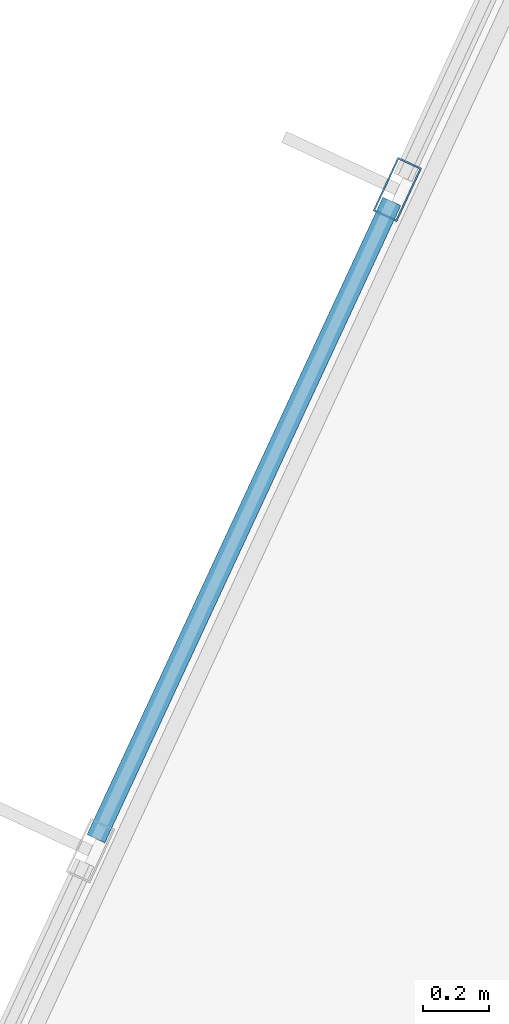
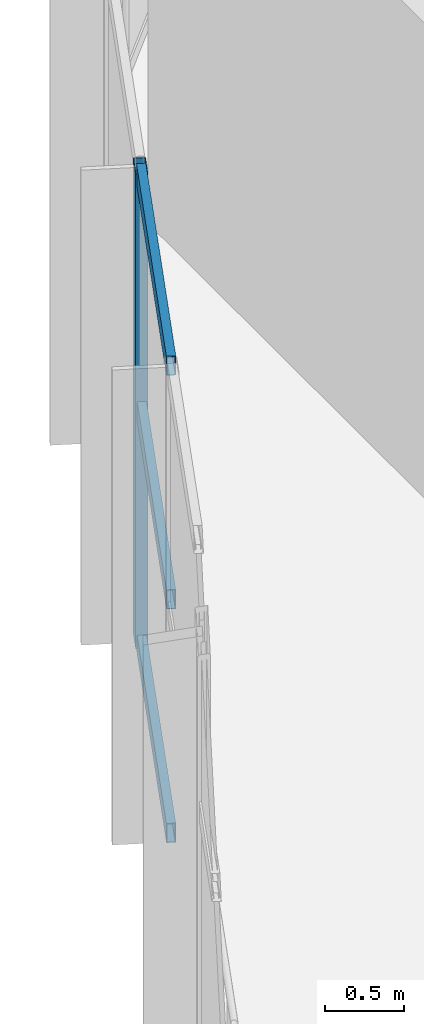
# One storey, part 26 of 175: 4 members, 1 element without a shape of its own.
"""IFC4 building model written with IfcOpenShell, lengths in metres."""

import ifcopenshell
import ifcopenshell.guid

model = None  # the IFC model being written
_history = None  # IfcOwnerHistory: only IFC2X3 demands one
_inside = {}  # id of a spatial element -> (the spatial element, [elements in it])
_under = {}  # id of a project, library or spatial element -> (it, [spatial elements below it])
_declared = {}  # id of a project -> (the project, [libraries it declares])
_typed = {}  # id of a type object -> (the type object, [elements of that type])
_made_of = {}  # id of a material, layer set ... -> (it, [elements and type objects made of it])


def new_model(schema):
    """Start an empty IFC model of exactly this schema.

    Asked for "IFC4X3", IfcOpenShell would pick the latest addendum, in which some entities
    have other attributes; the version numbers below select the first issue.
    IFC2X3 requires an IfcOwnerHistory on every rooted entity: one is made here for all.
    """
    global model, _history
    if schema == "IFC4X3":
        model = ifcopenshell.file(schema_version=(4, 3, 0, 0))
    else:
        model = ifcopenshell.file(schema=schema)
    _inside.clear()
    _under.clear()
    _declared.clear()
    _typed.clear()
    _made_of.clear()
    _history = None
    if model.schema == "IFC2X3":
        org = make("IfcOrganization", Name="unknown")
        user = make(
            "IfcPersonAndOrganization",
            ThePerson=make("IfcPerson", FamilyName="unknown"),
            TheOrganization=org,
        )
        app = make(
            "IfcApplication",
            ApplicationDeveloper=org,
            Version="unknown",
            ApplicationFullName="unknown",
            ApplicationIdentifier="unknown",
        )
        _history = make(
            "IfcOwnerHistory",
            OwningUser=user,
            OwningApplication=app,
            ChangeAction="ADDED",
            CreationDate=0,
        )
    return model


def make(cls, **values):
    """One entity of the class cls with the attributes given. An attribute that is None is left unset."""
    return model.create_entity(
        cls, **{name: value for name, value in values.items() if value is not None}
    )


def rooted(cls, **values):
    """An entity with a GlobalId (a new one), such as an element, a storey or a relation."""
    return make(cls, GlobalId=ifcopenshell.guid.new(), OwnerHistory=_history, **values)


def si_unit(unit_type, name, prefix=None):
    """IfcSIUnit, for example si_unit("LENGTHUNIT", "METRE", prefix="MILLI")."""
    return make("IfcSIUnit", UnitType=unit_type, Prefix=prefix, Name=name)


def assignment(units):
    """IfcUnitAssignment: the units of a project."""
    return None if units is None else make("IfcUnitAssignment", Units=units)


def point(xyz):
    """IfcCartesianPoint."""
    return None if xyz is None else make("IfcCartesianPoint", Coordinates=xyz)


def direction(xyz):
    """IfcDirection."""
    return None if xyz is None else make("IfcDirection", DirectionRatios=xyz)


def frame(location, z_axis=None, x_axis=None):
    """IfcAxis2Placement3D, a coordinate frame: its origin and axes. An axis left out is left unset."""
    return make(
        "IfcAxis2Placement3D",
        Location=point(location),
        Axis=direction(z_axis),
        RefDirection=direction(x_axis),
    )


def frame_2d(location, x_axis=None):
    """IfcAxis2Placement2D, a coordinate frame in the plane: its origin and x axis."""
    return make(
        "IfcAxis2Placement2D", Location=point(location), RefDirection=direction(x_axis)
    )


def origin():
    """The frame at (0, 0, 0) with its axes left unset."""
    return frame((0.0, 0.0, 0.0))


def origin_2d():
    """The frame at (0, 0) in the plane with its x axis left unset."""
    return frame_2d((0.0, 0.0))


def place(relative_to, where):
    """IfcLocalPlacement: puts the frame where relative to a parent placement (None: the world)."""
    return make(
        "IfcLocalPlacement", PlacementRelTo=relative_to, RelativePlacement=where
    )


def context(
    kind, dimensions, precision=None, world=None, true_north=None, identifier=None
):
    """IfcGeometricRepresentationContext, for example the 3D "Model" context."""
    return make(
        "IfcGeometricRepresentationContext",
        ContextIdentifier=identifier,
        ContextType=kind,
        CoordinateSpaceDimension=dimensions,
        Precision=precision,
        WorldCoordinateSystem=world,
        TrueNorth=true_north,
    )


def subcontext(parent, identifier, kind, view, scale=None):
    """IfcGeometricRepresentationSubContext, for example "Body" below "Model"."""
    return make(
        "IfcGeometricRepresentationSubContext",
        ContextIdentifier=identifier,
        ContextType=kind,
        ParentContext=parent,
        TargetScale=scale,
        TargetView=view,
    )


def project(units=None, contexts=None):
    """IfcProject with its units and contexts."""
    return rooted(
        "IfcProject",
        Name="project",
        RepresentationContexts=contexts,
        UnitsInContext=assignment(units),
    )


def spatial(cls, under=None, at=None, **own):
    """A site, building, storey or space (cls), placed at a placement, below another one or the project."""
    s = rooted(cls, ObjectPlacement=at, **own)
    if under is not None:
        _under.setdefault(under.id(), (under, []))[1].append(s)
    return s


def profile(cls, at=None, kind="AREA", **sizes):
    """A parametric profile (cls). Its sizes go by their IFC names, for example OverallWidth=200.0."""
    return make(cls, ProfileType=kind, Position=at, **sizes)


def hollow_rectangle(**sizes):
    """IfcRectangleHollowProfileDef."""
    return profile("IfcRectangleHollowProfileDef", **sizes)


def extrude(swept, where, along, depth):
    """IfcExtrudedAreaSolid: the profile swept, set in the frame where, extruded along a direction by depth."""
    return make(
        "IfcExtrudedAreaSolid",
        SweptArea=swept,
        Position=where,
        ExtrudedDirection=direction(along),
        Depth=depth,
    )


def shape(context_of_items, identifier, shape_type, items):
    """IfcShapeRepresentation: the items that make up one representation, for example the "Body"."""
    return make(
        "IfcShapeRepresentation",
        ContextOfItems=context_of_items,
        RepresentationIdentifier=identifier,
        RepresentationType=shape_type,
        Items=items,
    )


def material(Name=None, Category=None):
    """IfcMaterial."""
    return make("IfcMaterial", Name=Name, Category=Category)


def layer(
    of_material, thickness, ventilated=None, Name=None, Category=None, Priority=None
):
    """IfcMaterialLayer: one layer of a wall or slab, of a material (None: an air gap)."""
    return make(
        "IfcMaterialLayer",
        Material=of_material,
        LayerThickness=thickness,
        IsVentilated=ventilated,
        Name=Name,
        Category=Category,
        Priority=Priority,
    )


def layer_set(layers, Name=None):
    """IfcMaterialLayerSet."""
    return make("IfcMaterialLayerSet", MaterialLayers=layers, LayerSetName=Name)


def material_profile(
    of_material, cross_section, Name=None, Category=None, Priority=None
):
    """IfcMaterialProfile: a cross section and its material."""
    return make(
        "IfcMaterialProfile",
        Name=Name,
        Material=of_material,
        Profile=cross_section,
        Priority=Priority,
        Category=Category,
    )


def profile_set(profiles, Name=None, composite=None):
    """IfcMaterialProfileSet."""
    return make(
        "IfcMaterialProfileSet",
        Name=Name,
        MaterialProfiles=profiles,
        CompositeProfile=composite,
    )


def made_of(thing, what):
    """Note that an element or type object is made of a material, layer set ...; save() writes the relation."""
    if what is not None:
        _made_of.setdefault(what.id(), (what, []))[1].append(thing)
    return thing


def type_object(cls, material=None, **own):
    """A type object (cls), such as IfcWallType, which elements share."""
    return made_of(rooted(cls, **own), material)


def element(
    cls,
    number,
    at=None,
    inside=None,
    cuts=None,
    type_object=None,
    material=None,
    context=None,
    identifier="Body",
    shape_type=None,
    held_by="IfcProductDefinitionShape",
    body=None,
    shapes=None,
    **own,
):
    """One element of the class cls, such as IfcWall. Its Tag is "e" and its number.

    at: its placement. inside: the storey or other place that contains it. cuts: it is an
    opening in that element (IfcRelVoidsElement). A single representation is given by context,
    identifier, shape_type and body (its items); several are given by shapes. held_by: the class
    of the entity that holds the representations. save() writes the other relations.
    """
    e = rooted(cls, Tag="e%d" % number, ObjectPlacement=at, **own)
    if body is not None:
        shapes = [shape(context, identifier, shape_type, body)]
    if shapes is not None:
        e.Representation = make(held_by, Representations=shapes)
    if inside is not None:
        _inside.setdefault(inside.id(), (inside, []))[1].append(e)
    if cuts is not None:
        rooted(
            "IfcRelVoidsElement", RelatingBuildingElement=cuts, RelatedOpeningElement=e
        )
    if type_object is not None:
        _typed.setdefault(type_object.id(), (type_object, []))[1].append(e)
    return made_of(e, material)


def aggregate(whole, parts):
    """IfcRelAggregates: a whole, such as a stair, and the parts it consists of."""
    return rooted("IfcRelAggregates", RelatingObject=whole, RelatedObjects=parts)


def save(model, path):
    """Write the relations noted so far, then the file.

    IfcRelAggregates (storeys below a building ...), IfcRelContainedInSpatialStructure (elements
    in a storey), IfcRelDefinesByType, IfcRelAssociatesMaterial and IfcRelDeclares: one each for
    every whole, place, type object, material and project.
    """
    for whole, parts in _under.values():
        aggregate(whole, parts)
    for where, things in _inside.values():
        rooted(
            "IfcRelContainedInSpatialStructure",
            RelatedElements=things,
            RelatingStructure=where,
        )
    for kind, things in _typed.values():
        rooted("IfcRelDefinesByType", RelatedObjects=things, RelatingType=kind)
    for what, things in _made_of.values():
        rooted("IfcRelAssociatesMaterial", RelatedObjects=things, RelatingMaterial=what)
    for by, libraries in _declared.values():
        rooted("IfcRelDeclares", RelatingContext=by, RelatedDefinitions=libraries)
    model.write(path)


model = new_model("IFC4")

# Units and contexts
model_context = context("Model", 3, precision=1e-05, world=origin(), true_north=direction((0.0, 1.0)))
body_context = subcontext(model_context, "Body", "Model", "MODEL_VIEW")
ifc_project = project(units=[si_unit("LENGTHUNIT", "METRE"), si_unit("AREAUNIT", "SQUARE_METRE"), si_unit("VOLUMEUNIT", "CUBIC_METRE"), si_unit("PLANEANGLEUNIT", "RADIAN"), si_unit("MASSUNIT", "GRAM", prefix="KILO")], contexts=[model_context])

# Site, building, storey
site_placement = place(None, origin())
site = spatial("IfcSite", under=ifc_project, at=site_placement, CompositionType="ELEMENT")
building_placement = place(site_placement, origin())
building = spatial("IfcBuilding", under=site, at=building_placement, Name="Zizhar Promenade General Hospital", CompositionType="ELEMENT")
storey_placement = place(building_placement, frame((0.0, 0.0, 4.800048828125)))
storey = spatial("IfcBuildingStorey", under=building, at=storey_placement, Name="L01", CompositionType="ELEMENT", Elevation=4.800048828125)

# Curtain wall, members
ifc_material_1 = material(Name="Anodised aluminium 6063-T6 and low-E glass", Category="aluminium")
ifc_layer = layer(ifc_material_1, 0.159912109375)
ifc_layer_set = layer_set([ifc_layer], Name="Anodised aluminium 6063-T6 and low-E glass")
curtain_wall_type = type_object("IfcCurtainWallType", Name="CW-DT-MOD2", PredefinedType="NOTDEFINED", material=ifc_layer_set)
curtain_wall_placement = place(storey_placement, origin())
curtain_wall = element("IfcCurtainWall", 1, at=curtain_wall_placement, inside=storey, type_object=curtain_wall_type, Name="West Diagnostic Arm Glazed Curtain Wall L01-NW1", PredefinedType="NOTDEFINED")
ifc_material_2 = material(Name="Anodised aluminium 6063-T6", Category="aluminium")
ifc_material_profile_1 = material_profile(ifc_material_2, hollow_rectangle(XDim=0.080078125, YDim=0.179931640625, WallThickness=0.0048828125, at=origin_2d()))
ifc_profile_set_1 = profile_set([ifc_material_profile_1], Name="Anodised aluminium 6063-T6")
member_type_1 = type_object("IfcMemberType", Name="CWM-ALU-180x80", PredefinedType="MULLION", material=ifc_profile_set_1)
member_1_placement = place(storey_placement, frame((5.77001953125, 62.82763671875, 0.0), z_axis=(0.0, 0.0, 1.0), x_axis=(-0.907007278189, 0.421114945486, 0.0)))
member_1 = element("IfcMember", 2, at=member_1_placement, type_object=member_type_1, Name="CW-08 mullion 7", PredefinedType="MULLION", context=body_context, shape_type="SweptSolid", body=[
    extrude(hollow_rectangle(XDim=0.080078125, YDim=0.179931640625, WallThickness=0.0048828125, at=origin_2d()), origin(), (0.0, 0.0, 1.0), 3.679931640625),
])
ifc_material_3 = material(Name="Anodised aluminium 6063-T6", Category="aluminium")
ifc_material_profile_2 = material_profile(ifc_material_3, hollow_rectangle(XDim=0.06005859375, YDim=0.14990234375, WallThickness=0.00390625, at=origin_2d()))
ifc_profile_set_2 = profile_set([ifc_material_profile_2], Name="Anodised aluminium 6063-T6")
member_type_2 = type_object("IfcMemberType", Name="CWT-ALU-150x60", PredefinedType="USERDEFINED", material=ifc_profile_set_2)
member_2_placement = place(storey_placement, frame((4.851806640625, 60.85009765625, 0.030029296875), z_axis=(0.421154876076, 0.906988737724, 0.0), x_axis=(-0.906988737724, 0.421154876076, 0.0)))
member_2 = element("IfcMember", 3, at=member_2_placement, type_object=member_type_2, Name="CW-08 transom 6.1", ObjectType="TRANSOM", PredefinedType="USERDEFINED", context=body_context, shape_type="SweptSolid", body=[
    extrude(hollow_rectangle(XDim=0.06005859375, YDim=0.14990234375, WallThickness=0.00390625, at=origin_2d()), origin(), (0.0, 0.0, 1.0), 2.14013671875),
])
member_3_placement = place(storey_placement, frame((4.851806640625, 60.85009765625, 1.83984375), z_axis=(0.421154876076, 0.906988737724, 0.0), x_axis=(-0.906988737724, 0.421154876076, 0.0)))
member_3 = element("IfcMember", 4, at=member_3_placement, type_object=member_type_2, Name="CW-08 transom 6.2", ObjectType="TRANSOM", PredefinedType="USERDEFINED", context=body_context, shape_type="SweptSolid", body=[
    extrude(hollow_rectangle(XDim=0.06005859375, YDim=0.14990234375, WallThickness=0.00390625, at=origin_2d()), origin(), (0.0, 0.0, 1.0), 2.14013671875),
])
member_4_placement = place(storey_placement, frame((4.851806640625, 60.85009765625, 3.64990234375), z_axis=(0.421154876076, 0.906988737724, 0.0), x_axis=(-0.906988737724, 0.421154876076, 0.0)))
member_4 = element("IfcMember", 5, at=member_4_placement, type_object=member_type_2, Name="CW-08 transom 6.3", ObjectType="TRANSOM", PredefinedType="USERDEFINED", context=body_context, shape_type="SweptSolid", body=[
    extrude(hollow_rectangle(XDim=0.06005859375, YDim=0.14990234375, WallThickness=0.00390625, at=origin_2d()), origin(), (0.0, 0.0, 1.0), 2.14013671875),
])
aggregate(curtain_wall, [member_1, member_2, member_3, member_4])

save(model, "model.ifc")
